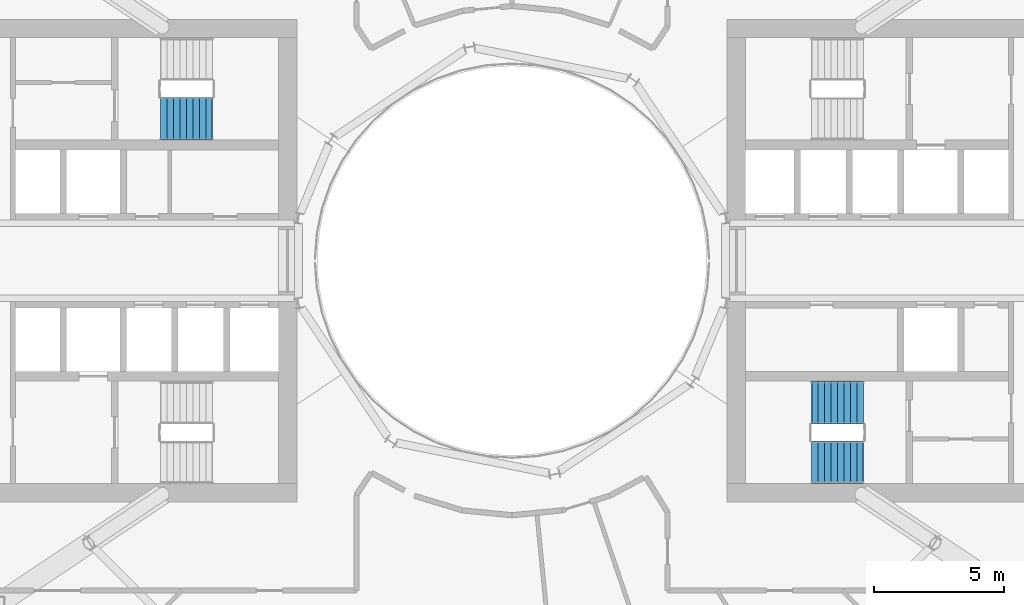
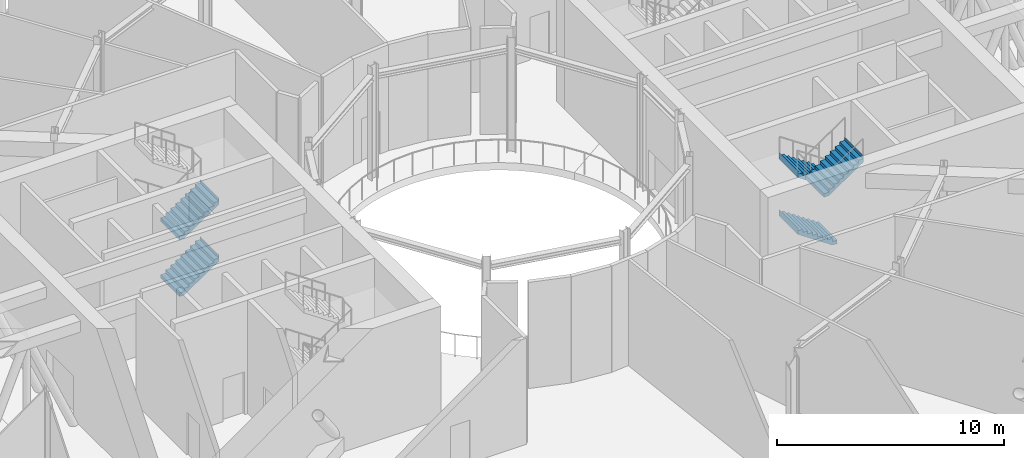
# One storey, part 16 of 23: 5 stair flights, 2 elements without a shape of their own.
"""IFC4 building model written with IfcOpenShell, lengths in metres."""

from ifc_helpers import new_model, si_unit, direction, frame, origin, place, context, subcontext, project, spatial, triangles, material, type_object, element, aggregate, save


model = new_model("IFC4")

# Units and contexts
model_context = context("Model", 3, precision=1e-05, world=origin(), true_north=direction((0.0, 1.0)))
body_context = subcontext(model_context, "Body", "Model", "MODEL_VIEW")
ifc_project = project(units=[si_unit("LENGTHUNIT", "METRE"), si_unit("AREAUNIT", "SQUARE_METRE"), si_unit("VOLUMEUNIT", "CUBIC_METRE"), si_unit("PLANEANGLEUNIT", "RADIAN"), si_unit("MASSUNIT", "GRAM", prefix="KILO")], contexts=[model_context])

# Site, building, storey
site_placement = place(None, origin())
site = spatial("IfcSite", under=ifc_project, at=site_placement, CompositionType="ELEMENT")
building_placement = place(site_placement, origin())
building = spatial("IfcBuilding", under=site, at=building_placement, Name="Maasbend Ring Residences", CompositionType="ELEMENT")
storey_placement = place(building_placement, frame((0.0, 0.0, 97.14990234375)))
storey = spatial("IfcBuildingStorey", under=building, at=storey_placement, Name="L28", CompositionType="ELEMENT", Elevation=97.14990234375)

# Stair, stair flights
ifc_material_1 = material(Name="Concrete C40/50", Category="concrete")
stair_type = type_object("IfcStairType", Name="CORE STAIR 36 RISERS", PredefinedType="HALF_TURN_STAIR", material=ifc_material_1)
stair_1_placement = place(storey_placement, origin())
stair_1 = element("IfcStair", 1, at=stair_1_placement, inside=storey, type_object=stair_type, Name="L28 Exit stair ST-E2", PredefinedType="HALF_TURN_STAIR")
ifc_material_2 = material(Name="Concrete C40/50", Category="concrete")
stair_flight_type = type_object("IfcStairFlightType", Name="CORE STAIR FLIGHT 1650", PredefinedType="STRAIGHT", material=ifc_material_2)
stair_flight_1_placement = place(storey_placement, frame((13.550048828125, -5.47509765625, 0.0), z_axis=(0.0, 0.0, 1.0), x_axis=(-1.0, 0.0, 0.0)))
stair_flight_1 = element("IfcStairFlight", 2, at=stair_flight_1_placement, type_object=stair_flight_type, Name="ST-E2 flight 1", NumberOfRisers=9, NumberOfTreads=8, PredefinedType="STRAIGHT", RiserHeight=0.169444444, TreadLength=0.25, context=body_context, shape_type="Tessellation", body=[
    triangles([(0.24072265625, 0.824951171875, -0.02001953125), (2.0029296875, 0.824951171875, 1.174560546875), (2.0029296875, 0.824951171875, 1.52490234375), (1.989990234375, 0.824951171875, 1.35546875), (1.75, 0.824951171875, 1.35546875), (1.75, 0.824951171875, 1.18603515625), (1.5, 0.824951171875, 1.18603515625), (1.5, 0.824951171875, 1.0166015625), (1.25, 0.824951171875, 1.0166015625), (1.25, 0.824951171875, 0.84716796875), (1.0, 0.824951171875, 0.84716796875), (1.0, 0.824951171875, 0.677734375), (0.75, 0.824951171875, 0.677734375), (0.75, 0.824951171875, 0.50830078125), (0.5, 0.824951171875, 0.50830078125), (0.5, 0.824951171875, 0.3388671875), (0.25, 0.824951171875, 0.3388671875), (0.25, 0.824951171875, 0.16943359375), (0.0, 0.824951171875, 0.16943359375), (0.0, 0.824951171875, 0.0), (-0.0029296875, 0.824951171875, 0.0), (-0.0029296875, 0.824951171875, -0.02001953125), (0.24072265625, 0.27490234375, -0.02001953125), (2.0029296875, 0.27490234375, 1.174560546875), (2.0029296875, 0.27490234375, 1.52490234375), (1.989990234375, 0.27490234375, 1.35546875), (1.75, 0.27490234375, 1.35546875), (1.75, 0.27490234375, 1.18603515625), (1.5, 0.27490234375, 1.18603515625), (1.5, 0.27490234375, 1.0166015625), (1.25, 0.27490234375, 1.0166015625), (1.25, 0.27490234375, 0.84716796875), (1.0, 0.27490234375, 0.84716796875), (1.0, 0.27490234375, 0.677734375), (0.75, 0.27490234375, 0.677734375), (0.75, 0.27490234375, 0.50830078125), (0.5, 0.27490234375, 0.50830078125), (0.5, 0.27490234375, 0.3388671875), (0.25, 0.27490234375, 0.3388671875), (0.25, 0.27490234375, 0.16943359375), (0.0, 0.27490234375, 0.16943359375), (0.0, 0.27490234375, 0.0), (-0.0029296875, 0.27490234375, 0.0), (-0.0029296875, 0.27490234375, -0.02001953125), (0.24072265625, -0.27490234375, -0.02001953125), (2.0029296875, -0.27490234375, 1.174560546875), (2.0029296875, -0.27490234375, 1.52490234375), (1.989990234375, -0.27490234375, 1.35546875), (1.75, -0.27490234375, 1.35546875), (1.75, -0.27490234375, 1.18603515625), (1.5, -0.27490234375, 1.18603515625), (1.5, -0.27490234375, 1.0166015625), (1.25, -0.27490234375, 1.0166015625), (1.25, -0.27490234375, 0.84716796875), (1.0, -0.27490234375, 0.84716796875), (1.0, -0.27490234375, 0.677734375), (0.75, -0.27490234375, 0.677734375), (0.75, -0.27490234375, 0.50830078125), (0.5, -0.27490234375, 0.50830078125), (0.5, -0.27490234375, 0.3388671875), (0.25, -0.27490234375, 0.3388671875), (0.25, -0.27490234375, 0.16943359375), (0.0, -0.27490234375, 0.16943359375), (0.0, -0.27490234375, 0.0), (-0.0029296875, -0.27490234375, 0.0), (-0.0029296875, -0.27490234375, -0.02001953125), (0.24072265625, -0.824951171875, -0.02001953125), (2.0029296875, -0.824951171875, 1.174560546875), (2.0029296875, -0.824951171875, 1.52490234375), (1.989990234375, -0.824951171875, 1.35546875), (1.75, -0.824951171875, 1.35546875), (1.75, -0.824951171875, 1.18603515625), (1.5, -0.824951171875, 1.18603515625), (1.5, -0.824951171875, 1.0166015625), (1.25, -0.824951171875, 1.0166015625), (1.25, -0.824951171875, 0.84716796875), (1.0, -0.824951171875, 0.84716796875), (1.0, -0.824951171875, 0.677734375), (0.75, -0.824951171875, 0.677734375), (0.75, -0.824951171875, 0.50830078125), (0.5, -0.824951171875, 0.50830078125), (0.5, -0.824951171875, 0.3388671875), (0.25, -0.824951171875, 0.3388671875), (0.25, -0.824951171875, 0.16943359375), (0.0, -0.824951171875, 0.16943359375), (0.0, -0.824951171875, 0.0), (-0.0029296875, -0.824951171875, 0.0), (-0.0029296875, -0.824951171875, -0.02001953125)], [[1, 2, 24], [1, 24, 23], [23, 24, 46], [23, 46, 45], [45, 46, 68], [45, 68, 67], [2, 3, 25], [2, 25, 24], [24, 25, 47], [24, 47, 46], [46, 47, 69], [46, 69, 68], [3, 4, 26], [3, 26, 25], [25, 26, 48], [25, 48, 47], [47, 48, 70], [47, 70, 69], [4, 5, 27], [4, 27, 26], [26, 27, 49], [26, 49, 48], [48, 49, 71], [48, 71, 70], [5, 6, 28], [5, 28, 27], [27, 28, 50], [27, 50, 49], [49, 50, 72], [49, 72, 71], [6, 7, 29], [6, 29, 28], [28, 29, 51], [28, 51, 50], [50, 51, 73], [50, 73, 72], [7, 8, 30], [7, 30, 29], [29, 30, 52], [29, 52, 51], [51, 52, 74], [51, 74, 73], [8, 9, 31], [8, 31, 30], [30, 31, 53], [30, 53, 52], [52, 53, 75], [52, 75, 74], [9, 10, 32], [9, 32, 31], [31, 32, 54], [31, 54, 53], [53, 54, 76], [53, 76, 75], [10, 11, 33], [10, 33, 32], [32, 33, 55], [32, 55, 54], [54, 55, 77], [54, 77, 76], [11, 12, 34], [11, 34, 33], [33, 34, 56], [33, 56, 55], [55, 56, 78], [55, 78, 77], [12, 13, 35], [12, 35, 34], [34, 35, 57], [34, 57, 56], [56, 57, 79], [56, 79, 78], [13, 14, 36], [13, 36, 35], [35, 36, 58], [35, 58, 57], [57, 58, 80], [57, 80, 79], [14, 15, 37], [14, 37, 36], [36, 37, 59], [36, 59, 58], [58, 59, 81], [58, 81, 80], [15, 16, 38], [15, 38, 37], [37, 38, 60], [37, 60, 59], [59, 60, 82], [59, 82, 81], [16, 17, 39], [16, 39, 38], [38, 39, 61], [38, 61, 60], [60, 61, 83], [60, 83, 82], [17, 18, 40], [17, 40, 39], [39, 40, 62], [39, 62, 61], [61, 62, 84], [61, 84, 83], [18, 19, 41], [18, 41, 40], [40, 41, 63], [40, 63, 62], [62, 63, 85], [62, 85, 84], [19, 20, 42], [19, 42, 41], [41, 42, 64], [41, 64, 63], [63, 64, 86], [63, 86, 85], [20, 21, 43], [20, 43, 42], [42, 43, 65], [42, 65, 64], [64, 65, 87], [64, 87, 86], [21, 22, 44], [21, 44, 43], [43, 44, 66], [43, 66, 65], [65, 66, 88], [65, 88, 87], [22, 1, 23], [22, 23, 44], [44, 23, 45], [44, 45, 66], [66, 45, 67], [66, 67, 88], [22, 2, 1], [2, 4, 3], [2, 5, 4], [2, 6, 5], [22, 6, 2], [6, 8, 7], [22, 8, 6], [8, 10, 9], [22, 10, 8], [10, 12, 11], [22, 12, 10], [12, 14, 13], [22, 14, 12], [14, 16, 15], [22, 16, 14], [16, 18, 17], [22, 18, 16], [18, 20, 19], [22, 20, 18], [20, 22, 21], [88, 67, 68], [68, 69, 70], [68, 70, 71], [68, 71, 72], [88, 68, 72], [72, 73, 74], [88, 72, 74], [74, 75, 76], [88, 74, 76], [76, 77, 78], [88, 76, 78], [78, 79, 80], [88, 78, 80], [80, 81, 82], [88, 80, 82], [82, 83, 84], [88, 82, 84], [84, 85, 86], [88, 84, 86], [86, 87, 88]], closed=True),
])
stair_flight_2_placement = place(storey_placement, frame((13.550048828125, -5.47509765625, 3.050048828125), z_axis=(0.0, 0.0, 1.0), x_axis=(-1.0, 0.0, 0.0)))
stair_flight_2 = element("IfcStairFlight", 3, at=stair_flight_2_placement, type_object=stair_flight_type, Name="ST-E2 flight 3", NumberOfRisers=9, NumberOfTreads=8, PredefinedType="STRAIGHT", RiserHeight=0.169444444, TreadLength=0.25, context=body_context, shape_type="Tessellation", body=[
    triangles([(0.24072265625, 0.824951171875, -0.02001953125), (2.0029296875, 0.824951171875, 1.174560546875), (2.0029296875, 0.824951171875, 1.52490234375), (1.989990234375, 0.824951171875, 1.35546875), (1.75, 0.824951171875, 1.35546875), (1.75, 0.824951171875, 1.18603515625), (1.5, 0.824951171875, 1.18603515625), (1.5, 0.824951171875, 1.0166015625), (1.25, 0.824951171875, 1.0166015625), (1.25, 0.824951171875, 0.84716796875), (1.0, 0.824951171875, 0.84716796875), (1.0, 0.824951171875, 0.677734375), (0.75, 0.824951171875, 0.677734375), (0.75, 0.824951171875, 0.50830078125), (0.5, 0.824951171875, 0.50830078125), (0.5, 0.824951171875, 0.3388671875), (0.25, 0.824951171875, 0.3388671875), (0.25, 0.824951171875, 0.16943359375), (0.0, 0.824951171875, 0.16943359375), (0.0, 0.824951171875, 0.0), (-0.0029296875, 0.824951171875, 0.0), (-0.0029296875, 0.824951171875, -0.02001953125), (0.24072265625, 0.27490234375, -0.02001953125), (2.0029296875, 0.27490234375, 1.174560546875), (2.0029296875, 0.27490234375, 1.52490234375), (1.989990234375, 0.27490234375, 1.35546875), (1.75, 0.27490234375, 1.35546875), (1.75, 0.27490234375, 1.18603515625), (1.5, 0.27490234375, 1.18603515625), (1.5, 0.27490234375, 1.0166015625), (1.25, 0.27490234375, 1.0166015625), (1.25, 0.27490234375, 0.84716796875), (1.0, 0.27490234375, 0.84716796875), (1.0, 0.27490234375, 0.677734375), (0.75, 0.27490234375, 0.677734375), (0.75, 0.27490234375, 0.50830078125), (0.5, 0.27490234375, 0.50830078125), (0.5, 0.27490234375, 0.3388671875), (0.25, 0.27490234375, 0.3388671875), (0.25, 0.27490234375, 0.16943359375), (0.0, 0.27490234375, 0.16943359375), (0.0, 0.27490234375, 0.0), (-0.0029296875, 0.27490234375, 0.0), (-0.0029296875, 0.27490234375, -0.02001953125), (0.24072265625, -0.27490234375, -0.02001953125), (2.0029296875, -0.27490234375, 1.174560546875), (2.0029296875, -0.27490234375, 1.52490234375), (1.989990234375, -0.27490234375, 1.35546875), (1.75, -0.27490234375, 1.35546875), (1.75, -0.27490234375, 1.18603515625), (1.5, -0.27490234375, 1.18603515625), (1.5, -0.27490234375, 1.0166015625), (1.25, -0.27490234375, 1.0166015625), (1.25, -0.27490234375, 0.84716796875), (1.0, -0.27490234375, 0.84716796875), (1.0, -0.27490234375, 0.677734375), (0.75, -0.27490234375, 0.677734375), (0.75, -0.27490234375, 0.50830078125), (0.5, -0.27490234375, 0.50830078125), (0.5, -0.27490234375, 0.3388671875), (0.25, -0.27490234375, 0.3388671875), (0.25, -0.27490234375, 0.16943359375), (0.0, -0.27490234375, 0.16943359375), (0.0, -0.27490234375, 0.0), (-0.0029296875, -0.27490234375, 0.0), (-0.0029296875, -0.27490234375, -0.02001953125), (0.24072265625, -0.824951171875, -0.02001953125), (2.0029296875, -0.824951171875, 1.174560546875), (2.0029296875, -0.824951171875, 1.52490234375), (1.989990234375, -0.824951171875, 1.35546875), (1.75, -0.824951171875, 1.35546875), (1.75, -0.824951171875, 1.18603515625), (1.5, -0.824951171875, 1.18603515625), (1.5, -0.824951171875, 1.0166015625), (1.25, -0.824951171875, 1.0166015625), (1.25, -0.824951171875, 0.84716796875), (1.0, -0.824951171875, 0.84716796875), (1.0, -0.824951171875, 0.677734375), (0.75, -0.824951171875, 0.677734375), (0.75, -0.824951171875, 0.50830078125), (0.5, -0.824951171875, 0.50830078125), (0.5, -0.824951171875, 0.3388671875), (0.25, -0.824951171875, 0.3388671875), (0.25, -0.824951171875, 0.16943359375), (0.0, -0.824951171875, 0.16943359375), (0.0, -0.824951171875, 0.0), (-0.0029296875, -0.824951171875, 0.0), (-0.0029296875, -0.824951171875, -0.02001953125)], [[1, 2, 24], [1, 24, 23], [23, 24, 46], [23, 46, 45], [45, 46, 68], [45, 68, 67], [2, 3, 25], [2, 25, 24], [24, 25, 47], [24, 47, 46], [46, 47, 69], [46, 69, 68], [3, 4, 26], [3, 26, 25], [25, 26, 48], [25, 48, 47], [47, 48, 70], [47, 70, 69], [4, 5, 27], [4, 27, 26], [26, 27, 49], [26, 49, 48], [48, 49, 71], [48, 71, 70], [5, 6, 28], [5, 28, 27], [27, 28, 50], [27, 50, 49], [49, 50, 72], [49, 72, 71], [6, 7, 29], [6, 29, 28], [28, 29, 51], [28, 51, 50], [50, 51, 73], [50, 73, 72], [7, 8, 30], [7, 30, 29], [29, 30, 52], [29, 52, 51], [51, 52, 74], [51, 74, 73], [8, 9, 31], [8, 31, 30], [30, 31, 53], [30, 53, 52], [52, 53, 75], [52, 75, 74], [9, 10, 32], [9, 32, 31], [31, 32, 54], [31, 54, 53], [53, 54, 76], [53, 76, 75], [10, 11, 33], [10, 33, 32], [32, 33, 55], [32, 55, 54], [54, 55, 77], [54, 77, 76], [11, 12, 34], [11, 34, 33], [33, 34, 56], [33, 56, 55], [55, 56, 78], [55, 78, 77], [12, 13, 35], [12, 35, 34], [34, 35, 57], [34, 57, 56], [56, 57, 79], [56, 79, 78], [13, 14, 36], [13, 36, 35], [35, 36, 58], [35, 58, 57], [57, 58, 80], [57, 80, 79], [14, 15, 37], [14, 37, 36], [36, 37, 59], [36, 59, 58], [58, 59, 81], [58, 81, 80], [15, 16, 38], [15, 38, 37], [37, 38, 60], [37, 60, 59], [59, 60, 82], [59, 82, 81], [16, 17, 39], [16, 39, 38], [38, 39, 61], [38, 61, 60], [60, 61, 83], [60, 83, 82], [17, 18, 40], [17, 40, 39], [39, 40, 62], [39, 62, 61], [61, 62, 84], [61, 84, 83], [18, 19, 41], [18, 41, 40], [40, 41, 63], [40, 63, 62], [62, 63, 85], [62, 85, 84], [19, 20, 42], [19, 42, 41], [41, 42, 64], [41, 64, 63], [63, 64, 86], [63, 86, 85], [20, 21, 43], [20, 43, 42], [42, 43, 65], [42, 65, 64], [64, 65, 87], [64, 87, 86], [21, 22, 44], [21, 44, 43], [43, 44, 66], [43, 66, 65], [65, 66, 88], [65, 88, 87], [22, 1, 23], [22, 23, 44], [44, 23, 45], [44, 45, 66], [66, 45, 67], [66, 67, 88], [22, 2, 1], [2, 4, 3], [2, 5, 4], [2, 6, 5], [22, 6, 2], [6, 8, 7], [22, 8, 6], [8, 10, 9], [22, 10, 8], [10, 12, 11], [22, 12, 10], [12, 14, 13], [22, 14, 12], [14, 16, 15], [22, 16, 14], [16, 18, 17], [22, 18, 16], [18, 20, 19], [22, 20, 18], [20, 22, 21], [88, 67, 68], [68, 69, 70], [68, 70, 71], [68, 71, 72], [88, 68, 72], [72, 73, 74], [88, 72, 74], [74, 75, 76], [88, 74, 76], [76, 77, 78], [88, 76, 78], [78, 79, 80], [88, 78, 80], [80, 81, 82], [88, 80, 82], [82, 83, 84], [88, 82, 84], [84, 85, 86], [88, 84, 86], [86, 87, 88]], closed=True),
])
stair_flight_3_placement = place(storey_placement, frame((11.550048828125, -7.77490234375, 4.5751953125), z_axis=(0.0, 0.0, 1.0), x_axis=(1.0, 0.0, 0.0)))
stair_flight_3 = element("IfcStairFlight", 4, at=stair_flight_3_placement, type_object=stair_flight_type, Name="ST-E2 flight 4", NumberOfRisers=9, NumberOfTreads=8, PredefinedType="STRAIGHT", RiserHeight=0.169444444, TreadLength=0.25, context=body_context, shape_type="Tessellation", body=[
    triangles([(0.24072265625, 0.824951171875, -0.02001953125), (2.0029296875, 0.824951171875, 1.174560546875), (2.0029296875, 0.824951171875, 1.52490234375), (1.989990234375, 0.824951171875, 1.35546875), (1.75, 0.824951171875, 1.35546875), (1.75, 0.824951171875, 1.18603515625), (1.5, 0.824951171875, 1.18603515625), (1.5, 0.824951171875, 1.0166015625), (1.25, 0.824951171875, 1.0166015625), (1.25, 0.824951171875, 0.84716796875), (1.0, 0.824951171875, 0.84716796875), (1.0, 0.824951171875, 0.677734375), (0.75, 0.824951171875, 0.677734375), (0.75, 0.824951171875, 0.50830078125), (0.5, 0.824951171875, 0.50830078125), (0.5, 0.824951171875, 0.3388671875), (0.25, 0.824951171875, 0.3388671875), (0.25, 0.824951171875, 0.16943359375), (0.0, 0.824951171875, 0.16943359375), (0.0, 0.824951171875, 0.0), (-0.0029296875, 0.824951171875, 0.0), (-0.0029296875, 0.824951171875, -0.02001953125), (0.24072265625, 0.27490234375, -0.02001953125), (2.0029296875, 0.27490234375, 1.174560546875), (2.0029296875, 0.27490234375, 1.52490234375), (1.989990234375, 0.27490234375, 1.35546875), (1.75, 0.27490234375, 1.35546875), (1.75, 0.27490234375, 1.18603515625), (1.5, 0.27490234375, 1.18603515625), (1.5, 0.27490234375, 1.0166015625), (1.25, 0.27490234375, 1.0166015625), (1.25, 0.27490234375, 0.84716796875), (1.0, 0.27490234375, 0.84716796875), (1.0, 0.27490234375, 0.677734375), (0.75, 0.27490234375, 0.677734375), (0.75, 0.27490234375, 0.50830078125), (0.5, 0.27490234375, 0.50830078125), (0.5, 0.27490234375, 0.3388671875), (0.25, 0.27490234375, 0.3388671875), (0.25, 0.27490234375, 0.16943359375), (0.0, 0.27490234375, 0.16943359375), (0.0, 0.27490234375, 0.0), (-0.0029296875, 0.27490234375, 0.0), (-0.0029296875, 0.27490234375, -0.02001953125), (0.24072265625, -0.27490234375, -0.02001953125), (2.0029296875, -0.27490234375, 1.174560546875), (2.0029296875, -0.27490234375, 1.52490234375), (1.989990234375, -0.27490234375, 1.35546875), (1.75, -0.27490234375, 1.35546875), (1.75, -0.27490234375, 1.18603515625), (1.5, -0.27490234375, 1.18603515625), (1.5, -0.27490234375, 1.0166015625), (1.25, -0.27490234375, 1.0166015625), (1.25, -0.27490234375, 0.84716796875), (1.0, -0.27490234375, 0.84716796875), (1.0, -0.27490234375, 0.677734375), (0.75, -0.27490234375, 0.677734375), (0.75, -0.27490234375, 0.50830078125), (0.5, -0.27490234375, 0.50830078125), (0.5, -0.27490234375, 0.3388671875), (0.25, -0.27490234375, 0.3388671875), (0.25, -0.27490234375, 0.16943359375), (0.0, -0.27490234375, 0.16943359375), (0.0, -0.27490234375, 0.0), (-0.0029296875, -0.27490234375, 0.0), (-0.0029296875, -0.27490234375, -0.02001953125), (0.24072265625, -0.824951171875, -0.02001953125), (2.0029296875, -0.824951171875, 1.174560546875), (2.0029296875, -0.824951171875, 1.52490234375), (1.989990234375, -0.824951171875, 1.35546875), (1.75, -0.824951171875, 1.35546875), (1.75, -0.824951171875, 1.18603515625), (1.5, -0.824951171875, 1.18603515625), (1.5, -0.824951171875, 1.0166015625), (1.25, -0.824951171875, 1.0166015625), (1.25, -0.824951171875, 0.84716796875), (1.0, -0.824951171875, 0.84716796875), (1.0, -0.824951171875, 0.677734375), (0.75, -0.824951171875, 0.677734375), (0.75, -0.824951171875, 0.50830078125), (0.5, -0.824951171875, 0.50830078125), (0.5, -0.824951171875, 0.3388671875), (0.25, -0.824951171875, 0.3388671875), (0.25, -0.824951171875, 0.16943359375), (0.0, -0.824951171875, 0.16943359375), (0.0, -0.824951171875, 0.0), (-0.0029296875, -0.824951171875, 0.0), (-0.0029296875, -0.824951171875, -0.02001953125)], [[1, 2, 24], [1, 24, 23], [23, 24, 46], [23, 46, 45], [45, 46, 68], [45, 68, 67], [2, 3, 25], [2, 25, 24], [24, 25, 47], [24, 47, 46], [46, 47, 69], [46, 69, 68], [3, 4, 26], [3, 26, 25], [25, 26, 48], [25, 48, 47], [47, 48, 70], [47, 70, 69], [4, 5, 27], [4, 27, 26], [26, 27, 49], [26, 49, 48], [48, 49, 71], [48, 71, 70], [5, 6, 28], [5, 28, 27], [27, 28, 50], [27, 50, 49], [49, 50, 72], [49, 72, 71], [6, 7, 29], [6, 29, 28], [28, 29, 51], [28, 51, 50], [50, 51, 73], [50, 73, 72], [7, 8, 30], [7, 30, 29], [29, 30, 52], [29, 52, 51], [51, 52, 74], [51, 74, 73], [8, 9, 31], [8, 31, 30], [30, 31, 53], [30, 53, 52], [52, 53, 75], [52, 75, 74], [9, 10, 32], [9, 32, 31], [31, 32, 54], [31, 54, 53], [53, 54, 76], [53, 76, 75], [10, 11, 33], [10, 33, 32], [32, 33, 55], [32, 55, 54], [54, 55, 77], [54, 77, 76], [11, 12, 34], [11, 34, 33], [33, 34, 56], [33, 56, 55], [55, 56, 78], [55, 78, 77], [12, 13, 35], [12, 35, 34], [34, 35, 57], [34, 57, 56], [56, 57, 79], [56, 79, 78], [13, 14, 36], [13, 36, 35], [35, 36, 58], [35, 58, 57], [57, 58, 80], [57, 80, 79], [14, 15, 37], [14, 37, 36], [36, 37, 59], [36, 59, 58], [58, 59, 81], [58, 81, 80], [15, 16, 38], [15, 38, 37], [37, 38, 60], [37, 60, 59], [59, 60, 82], [59, 82, 81], [16, 17, 39], [16, 39, 38], [38, 39, 61], [38, 61, 60], [60, 61, 83], [60, 83, 82], [17, 18, 40], [17, 40, 39], [39, 40, 62], [39, 62, 61], [61, 62, 84], [61, 84, 83], [18, 19, 41], [18, 41, 40], [40, 41, 63], [40, 63, 62], [62, 63, 85], [62, 85, 84], [19, 20, 42], [19, 42, 41], [41, 42, 64], [41, 64, 63], [63, 64, 86], [63, 86, 85], [20, 21, 43], [20, 43, 42], [42, 43, 65], [42, 65, 64], [64, 65, 87], [64, 87, 86], [21, 22, 44], [21, 44, 43], [43, 44, 66], [43, 66, 65], [65, 66, 88], [65, 88, 87], [22, 1, 23], [22, 23, 44], [44, 23, 45], [44, 45, 66], [66, 45, 67], [66, 67, 88], [22, 2, 1], [2, 4, 3], [2, 5, 4], [2, 6, 5], [22, 6, 2], [6, 8, 7], [22, 8, 6], [8, 10, 9], [22, 10, 8], [10, 12, 11], [22, 12, 10], [12, 14, 13], [22, 14, 12], [14, 16, 15], [22, 16, 14], [16, 18, 17], [22, 18, 16], [18, 20, 19], [22, 20, 18], [20, 22, 21], [88, 67, 68], [68, 69, 70], [68, 70, 71], [68, 71, 72], [88, 68, 72], [72, 73, 74], [88, 72, 74], [74, 75, 76], [88, 74, 76], [76, 77, 78], [88, 76, 78], [78, 79, 80], [88, 78, 80], [80, 81, 82], [88, 80, 82], [82, 83, 84], [88, 82, 84], [84, 85, 86], [88, 84, 86], [86, 87, 88]], closed=True),
])
aggregate(stair_1, [stair_flight_1, stair_flight_2, stair_flight_3])

stair_2_placement = place(storey_placement, origin())
stair_2 = element("IfcStair", 5, at=stair_2_placement, inside=storey, type_object=stair_type, Name="L28 Exit stair ST-W2", PredefinedType="HALF_TURN_STAIR")
stair_flight_4_placement = place(storey_placement, frame((-13.550048828125, 5.47509765625, 0.0), z_axis=(0.0, 0.0, 1.0), x_axis=(1.0, 0.0, 0.0)))
stair_flight_4 = element("IfcStairFlight", 6, at=stair_flight_4_placement, type_object=stair_flight_type, Name="ST-W2 flight 1", NumberOfRisers=9, NumberOfTreads=8, PredefinedType="STRAIGHT", RiserHeight=0.169444444, TreadLength=0.25, context=body_context, shape_type="Tessellation", body=[
    triangles([(0.24072265625, 0.824951171875, -0.02001953125), (2.0029296875, 0.824951171875, 1.174560546875), (2.0029296875, 0.824951171875, 1.52490234375), (1.989990234375, 0.824951171875, 1.35546875), (1.75, 0.824951171875, 1.35546875), (1.75, 0.824951171875, 1.18603515625), (1.5, 0.824951171875, 1.18603515625), (1.5, 0.824951171875, 1.0166015625), (1.25, 0.824951171875, 1.0166015625), (1.25, 0.824951171875, 0.84716796875), (1.0, 0.824951171875, 0.84716796875), (1.0, 0.824951171875, 0.677734375), (0.75, 0.824951171875, 0.677734375), (0.75, 0.824951171875, 0.50830078125), (0.5, 0.824951171875, 0.50830078125), (0.5, 0.824951171875, 0.3388671875), (0.25, 0.824951171875, 0.3388671875), (0.25, 0.824951171875, 0.16943359375), (0.0, 0.824951171875, 0.16943359375), (0.0, 0.824951171875, 0.0), (-0.0029296875, 0.824951171875, 0.0), (-0.0029296875, 0.824951171875, -0.02001953125), (0.24072265625, 0.27490234375, -0.02001953125), (2.0029296875, 0.27490234375, 1.174560546875), (2.0029296875, 0.27490234375, 1.52490234375), (1.989990234375, 0.27490234375, 1.35546875), (1.75, 0.27490234375, 1.35546875), (1.75, 0.27490234375, 1.18603515625), (1.5, 0.27490234375, 1.18603515625), (1.5, 0.27490234375, 1.0166015625), (1.25, 0.27490234375, 1.0166015625), (1.25, 0.27490234375, 0.84716796875), (1.0, 0.27490234375, 0.84716796875), (1.0, 0.27490234375, 0.677734375), (0.75, 0.27490234375, 0.677734375), (0.75, 0.27490234375, 0.50830078125), (0.5, 0.27490234375, 0.50830078125), (0.5, 0.27490234375, 0.3388671875), (0.25, 0.27490234375, 0.3388671875), (0.25, 0.27490234375, 0.16943359375), (0.0, 0.27490234375, 0.16943359375), (0.0, 0.27490234375, 0.0), (-0.0029296875, 0.27490234375, 0.0), (-0.0029296875, 0.27490234375, -0.02001953125), (0.24072265625, -0.27490234375, -0.02001953125), (2.0029296875, -0.27490234375, 1.174560546875), (2.0029296875, -0.27490234375, 1.52490234375), (1.989990234375, -0.27490234375, 1.35546875), (1.75, -0.27490234375, 1.35546875), (1.75, -0.27490234375, 1.18603515625), (1.5, -0.27490234375, 1.18603515625), (1.5, -0.27490234375, 1.0166015625), (1.25, -0.27490234375, 1.0166015625), (1.25, -0.27490234375, 0.84716796875), (1.0, -0.27490234375, 0.84716796875), (1.0, -0.27490234375, 0.677734375), (0.75, -0.27490234375, 0.677734375), (0.75, -0.27490234375, 0.50830078125), (0.5, -0.27490234375, 0.50830078125), (0.5, -0.27490234375, 0.3388671875), (0.25, -0.27490234375, 0.3388671875), (0.25, -0.27490234375, 0.16943359375), (0.0, -0.27490234375, 0.16943359375), (0.0, -0.27490234375, 0.0), (-0.0029296875, -0.27490234375, 0.0), (-0.0029296875, -0.27490234375, -0.02001953125), (0.24072265625, -0.824951171875, -0.02001953125), (2.0029296875, -0.824951171875, 1.174560546875), (2.0029296875, -0.824951171875, 1.52490234375), (1.989990234375, -0.824951171875, 1.35546875), (1.75, -0.824951171875, 1.35546875), (1.75, -0.824951171875, 1.18603515625), (1.5, -0.824951171875, 1.18603515625), (1.5, -0.824951171875, 1.0166015625), (1.25, -0.824951171875, 1.0166015625), (1.25, -0.824951171875, 0.84716796875), (1.0, -0.824951171875, 0.84716796875), (1.0, -0.824951171875, 0.677734375), (0.75, -0.824951171875, 0.677734375), (0.75, -0.824951171875, 0.50830078125), (0.5, -0.824951171875, 0.50830078125), (0.5, -0.824951171875, 0.3388671875), (0.25, -0.824951171875, 0.3388671875), (0.25, -0.824951171875, 0.16943359375), (0.0, -0.824951171875, 0.16943359375), (0.0, -0.824951171875, 0.0), (-0.0029296875, -0.824951171875, 0.0), (-0.0029296875, -0.824951171875, -0.02001953125)], [[1, 2, 24], [1, 24, 23], [23, 24, 46], [23, 46, 45], [45, 46, 68], [45, 68, 67], [2, 3, 25], [2, 25, 24], [24, 25, 47], [24, 47, 46], [46, 47, 69], [46, 69, 68], [3, 4, 26], [3, 26, 25], [25, 26, 48], [25, 48, 47], [47, 48, 70], [47, 70, 69], [4, 5, 27], [4, 27, 26], [26, 27, 49], [26, 49, 48], [48, 49, 71], [48, 71, 70], [5, 6, 28], [5, 28, 27], [27, 28, 50], [27, 50, 49], [49, 50, 72], [49, 72, 71], [6, 7, 29], [6, 29, 28], [28, 29, 51], [28, 51, 50], [50, 51, 73], [50, 73, 72], [7, 8, 30], [7, 30, 29], [29, 30, 52], [29, 52, 51], [51, 52, 74], [51, 74, 73], [8, 9, 31], [8, 31, 30], [30, 31, 53], [30, 53, 52], [52, 53, 75], [52, 75, 74], [9, 10, 32], [9, 32, 31], [31, 32, 54], [31, 54, 53], [53, 54, 76], [53, 76, 75], [10, 11, 33], [10, 33, 32], [32, 33, 55], [32, 55, 54], [54, 55, 77], [54, 77, 76], [11, 12, 34], [11, 34, 33], [33, 34, 56], [33, 56, 55], [55, 56, 78], [55, 78, 77], [12, 13, 35], [12, 35, 34], [34, 35, 57], [34, 57, 56], [56, 57, 79], [56, 79, 78], [13, 14, 36], [13, 36, 35], [35, 36, 58], [35, 58, 57], [57, 58, 80], [57, 80, 79], [14, 15, 37], [14, 37, 36], [36, 37, 59], [36, 59, 58], [58, 59, 81], [58, 81, 80], [15, 16, 38], [15, 38, 37], [37, 38, 60], [37, 60, 59], [59, 60, 82], [59, 82, 81], [16, 17, 39], [16, 39, 38], [38, 39, 61], [38, 61, 60], [60, 61, 83], [60, 83, 82], [17, 18, 40], [17, 40, 39], [39, 40, 62], [39, 62, 61], [61, 62, 84], [61, 84, 83], [18, 19, 41], [18, 41, 40], [40, 41, 63], [40, 63, 62], [62, 63, 85], [62, 85, 84], [19, 20, 42], [19, 42, 41], [41, 42, 64], [41, 64, 63], [63, 64, 86], [63, 86, 85], [20, 21, 43], [20, 43, 42], [42, 43, 65], [42, 65, 64], [64, 65, 87], [64, 87, 86], [21, 22, 44], [21, 44, 43], [43, 44, 66], [43, 66, 65], [65, 66, 88], [65, 88, 87], [22, 1, 23], [22, 23, 44], [44, 23, 45], [44, 45, 66], [66, 45, 67], [66, 67, 88], [22, 2, 1], [2, 4, 3], [2, 5, 4], [2, 6, 5], [22, 6, 2], [6, 8, 7], [22, 8, 6], [8, 10, 9], [22, 10, 8], [10, 12, 11], [22, 12, 10], [12, 14, 13], [22, 14, 12], [14, 16, 15], [22, 16, 14], [16, 18, 17], [22, 18, 16], [18, 20, 19], [22, 20, 18], [20, 22, 21], [88, 67, 68], [68, 69, 70], [68, 70, 71], [68, 71, 72], [88, 68, 72], [72, 73, 74], [88, 72, 74], [74, 75, 76], [88, 74, 76], [76, 77, 78], [88, 76, 78], [78, 79, 80], [88, 78, 80], [80, 81, 82], [88, 80, 82], [82, 83, 84], [88, 82, 84], [84, 85, 86], [88, 84, 86], [86, 87, 88]], closed=True),
])
stair_flight_5_placement = place(storey_placement, frame((-13.550048828125, 5.47509765625, 3.050048828125), z_axis=(0.0, 0.0, 1.0), x_axis=(1.0, 0.0, 0.0)))
stair_flight_5 = element("IfcStairFlight", 7, at=stair_flight_5_placement, type_object=stair_flight_type, Name="ST-W2 flight 3", NumberOfRisers=9, NumberOfTreads=8, PredefinedType="STRAIGHT", RiserHeight=0.169444444, TreadLength=0.25, context=body_context, shape_type="Tessellation", body=[
    triangles([(0.24072265625, 0.824951171875, -0.02001953125), (2.0029296875, 0.824951171875, 1.174560546875), (2.0029296875, 0.824951171875, 1.52490234375), (1.989990234375, 0.824951171875, 1.35546875), (1.75, 0.824951171875, 1.35546875), (1.75, 0.824951171875, 1.18603515625), (1.5, 0.824951171875, 1.18603515625), (1.5, 0.824951171875, 1.0166015625), (1.25, 0.824951171875, 1.0166015625), (1.25, 0.824951171875, 0.84716796875), (1.0, 0.824951171875, 0.84716796875), (1.0, 0.824951171875, 0.677734375), (0.75, 0.824951171875, 0.677734375), (0.75, 0.824951171875, 0.50830078125), (0.5, 0.824951171875, 0.50830078125), (0.5, 0.824951171875, 0.3388671875), (0.25, 0.824951171875, 0.3388671875), (0.25, 0.824951171875, 0.16943359375), (0.0, 0.824951171875, 0.16943359375), (0.0, 0.824951171875, 0.0), (-0.0029296875, 0.824951171875, 0.0), (-0.0029296875, 0.824951171875, -0.02001953125), (0.24072265625, 0.27490234375, -0.02001953125), (2.0029296875, 0.27490234375, 1.174560546875), (2.0029296875, 0.27490234375, 1.52490234375), (1.989990234375, 0.27490234375, 1.35546875), (1.75, 0.27490234375, 1.35546875), (1.75, 0.27490234375, 1.18603515625), (1.5, 0.27490234375, 1.18603515625), (1.5, 0.27490234375, 1.0166015625), (1.25, 0.27490234375, 1.0166015625), (1.25, 0.27490234375, 0.84716796875), (1.0, 0.27490234375, 0.84716796875), (1.0, 0.27490234375, 0.677734375), (0.75, 0.27490234375, 0.677734375), (0.75, 0.27490234375, 0.50830078125), (0.5, 0.27490234375, 0.50830078125), (0.5, 0.27490234375, 0.3388671875), (0.25, 0.27490234375, 0.3388671875), (0.25, 0.27490234375, 0.16943359375), (0.0, 0.27490234375, 0.16943359375), (0.0, 0.27490234375, 0.0), (-0.0029296875, 0.27490234375, 0.0), (-0.0029296875, 0.27490234375, -0.02001953125), (0.24072265625, -0.27490234375, -0.02001953125), (2.0029296875, -0.27490234375, 1.174560546875), (2.0029296875, -0.27490234375, 1.52490234375), (1.989990234375, -0.27490234375, 1.35546875), (1.75, -0.27490234375, 1.35546875), (1.75, -0.27490234375, 1.18603515625), (1.5, -0.27490234375, 1.18603515625), (1.5, -0.27490234375, 1.0166015625), (1.25, -0.27490234375, 1.0166015625), (1.25, -0.27490234375, 0.84716796875), (1.0, -0.27490234375, 0.84716796875), (1.0, -0.27490234375, 0.677734375), (0.75, -0.27490234375, 0.677734375), (0.75, -0.27490234375, 0.50830078125), (0.5, -0.27490234375, 0.50830078125), (0.5, -0.27490234375, 0.3388671875), (0.25, -0.27490234375, 0.3388671875), (0.25, -0.27490234375, 0.16943359375), (0.0, -0.27490234375, 0.16943359375), (0.0, -0.27490234375, 0.0), (-0.0029296875, -0.27490234375, 0.0), (-0.0029296875, -0.27490234375, -0.02001953125), (0.24072265625, -0.824951171875, -0.02001953125), (2.0029296875, -0.824951171875, 1.174560546875), (2.0029296875, -0.824951171875, 1.52490234375), (1.989990234375, -0.824951171875, 1.35546875), (1.75, -0.824951171875, 1.35546875), (1.75, -0.824951171875, 1.18603515625), (1.5, -0.824951171875, 1.18603515625), (1.5, -0.824951171875, 1.0166015625), (1.25, -0.824951171875, 1.0166015625), (1.25, -0.824951171875, 0.84716796875), (1.0, -0.824951171875, 0.84716796875), (1.0, -0.824951171875, 0.677734375), (0.75, -0.824951171875, 0.677734375), (0.75, -0.824951171875, 0.50830078125), (0.5, -0.824951171875, 0.50830078125), (0.5, -0.824951171875, 0.3388671875), (0.25, -0.824951171875, 0.3388671875), (0.25, -0.824951171875, 0.16943359375), (0.0, -0.824951171875, 0.16943359375), (0.0, -0.824951171875, 0.0), (-0.0029296875, -0.824951171875, 0.0), (-0.0029296875, -0.824951171875, -0.02001953125)], [[1, 2, 24], [1, 24, 23], [23, 24, 46], [23, 46, 45], [45, 46, 68], [45, 68, 67], [2, 3, 25], [2, 25, 24], [24, 25, 47], [24, 47, 46], [46, 47, 69], [46, 69, 68], [3, 4, 26], [3, 26, 25], [25, 26, 48], [25, 48, 47], [47, 48, 70], [47, 70, 69], [4, 5, 27], [4, 27, 26], [26, 27, 49], [26, 49, 48], [48, 49, 71], [48, 71, 70], [5, 6, 28], [5, 28, 27], [27, 28, 50], [27, 50, 49], [49, 50, 72], [49, 72, 71], [6, 7, 29], [6, 29, 28], [28, 29, 51], [28, 51, 50], [50, 51, 73], [50, 73, 72], [7, 8, 30], [7, 30, 29], [29, 30, 52], [29, 52, 51], [51, 52, 74], [51, 74, 73], [8, 9, 31], [8, 31, 30], [30, 31, 53], [30, 53, 52], [52, 53, 75], [52, 75, 74], [9, 10, 32], [9, 32, 31], [31, 32, 54], [31, 54, 53], [53, 54, 76], [53, 76, 75], [10, 11, 33], [10, 33, 32], [32, 33, 55], [32, 55, 54], [54, 55, 77], [54, 77, 76], [11, 12, 34], [11, 34, 33], [33, 34, 56], [33, 56, 55], [55, 56, 78], [55, 78, 77], [12, 13, 35], [12, 35, 34], [34, 35, 57], [34, 57, 56], [56, 57, 79], [56, 79, 78], [13, 14, 36], [13, 36, 35], [35, 36, 58], [35, 58, 57], [57, 58, 80], [57, 80, 79], [14, 15, 37], [14, 37, 36], [36, 37, 59], [36, 59, 58], [58, 59, 81], [58, 81, 80], [15, 16, 38], [15, 38, 37], [37, 38, 60], [37, 60, 59], [59, 60, 82], [59, 82, 81], [16, 17, 39], [16, 39, 38], [38, 39, 61], [38, 61, 60], [60, 61, 83], [60, 83, 82], [17, 18, 40], [17, 40, 39], [39, 40, 62], [39, 62, 61], [61, 62, 84], [61, 84, 83], [18, 19, 41], [18, 41, 40], [40, 41, 63], [40, 63, 62], [62, 63, 85], [62, 85, 84], [19, 20, 42], [19, 42, 41], [41, 42, 64], [41, 64, 63], [63, 64, 86], [63, 86, 85], [20, 21, 43], [20, 43, 42], [42, 43, 65], [42, 65, 64], [64, 65, 87], [64, 87, 86], [21, 22, 44], [21, 44, 43], [43, 44, 66], [43, 66, 65], [65, 66, 88], [65, 88, 87], [22, 1, 23], [22, 23, 44], [44, 23, 45], [44, 45, 66], [66, 45, 67], [66, 67, 88], [22, 2, 1], [2, 4, 3], [2, 5, 4], [2, 6, 5], [22, 6, 2], [6, 8, 7], [22, 8, 6], [8, 10, 9], [22, 10, 8], [10, 12, 11], [22, 12, 10], [12, 14, 13], [22, 14, 12], [14, 16, 15], [22, 16, 14], [16, 18, 17], [22, 18, 16], [18, 20, 19], [22, 20, 18], [20, 22, 21], [88, 67, 68], [68, 69, 70], [68, 70, 71], [68, 71, 72], [88, 68, 72], [72, 73, 74], [88, 72, 74], [74, 75, 76], [88, 74, 76], [76, 77, 78], [88, 76, 78], [78, 79, 80], [88, 78, 80], [80, 81, 82], [88, 80, 82], [82, 83, 84], [88, 82, 84], [84, 85, 86], [88, 84, 86], [86, 87, 88]], closed=True),
])
aggregate(stair_2, [stair_flight_4, stair_flight_5])

save(model, "model.ifc")
